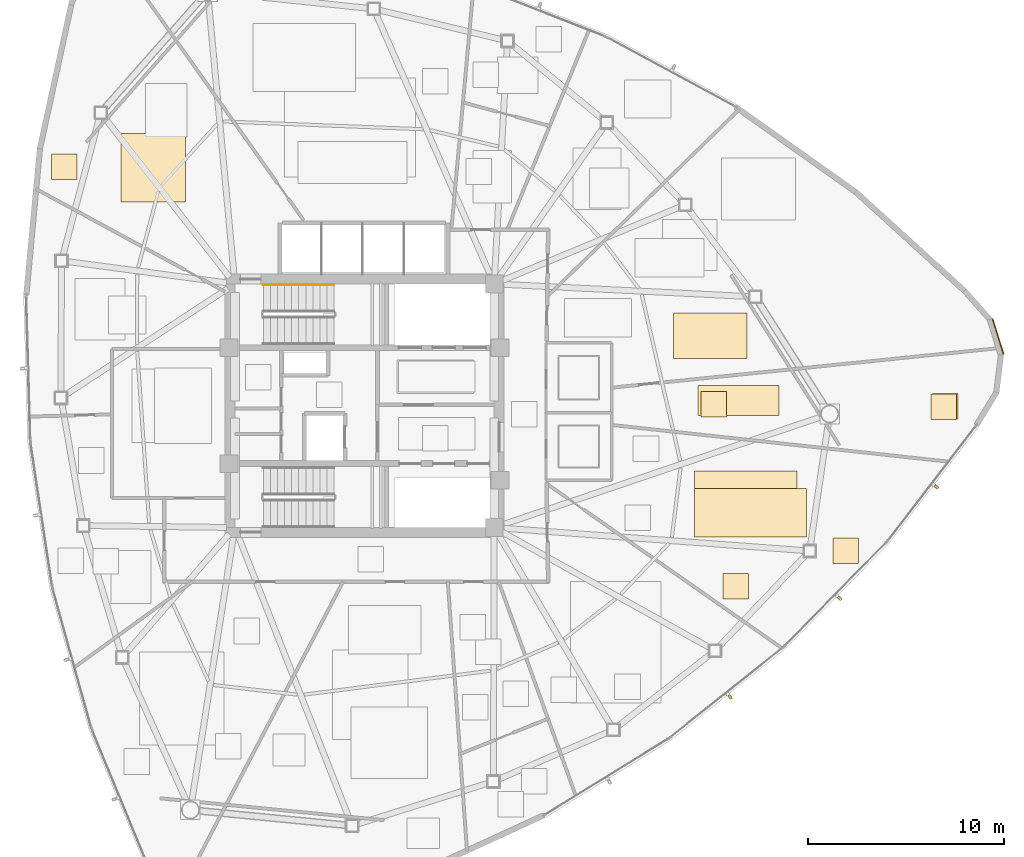
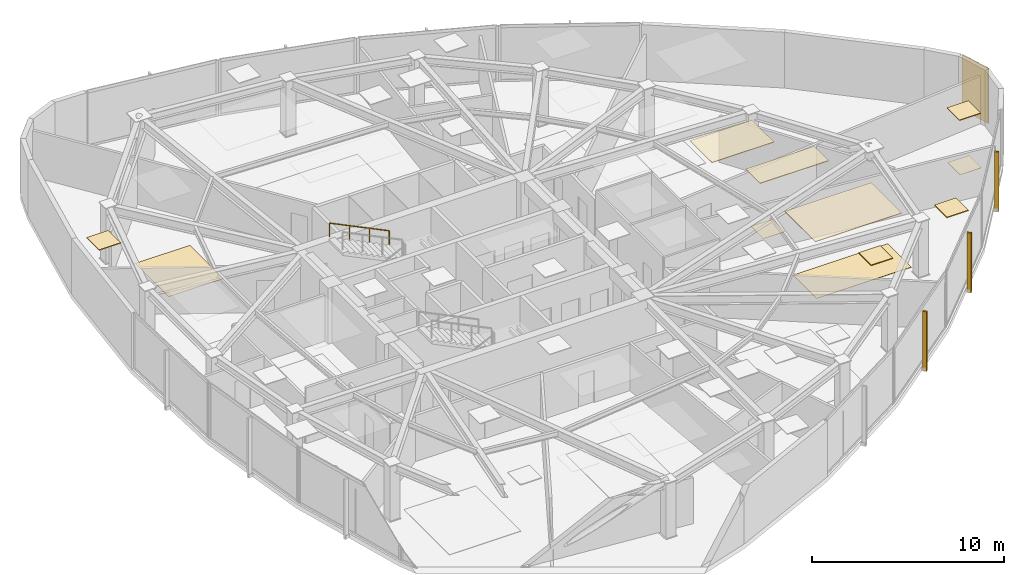
# One storey, part 17 of 18: 12 coverings, 3 shading devices, 1 railing.
"""IFC4 building model written with IfcOpenShell, lengths in metres."""

from ifc_helpers import new_model, si_unit, direction, frame, origin, origin_2d, place, context, subcontext, project, spatial, polyline, rectangle, outline, extrude, source, transform, mapped, material, layer, layer_set, type_object, type_shapes, element, save


model = new_model("IFC4")

# Units and contexts
model_context = context("Model", 3, precision=1e-05, world=origin(), true_north=direction((0.0, 1.0)))
body_context = subcontext(model_context, "Body", "Model", "MODEL_VIEW")
ifc_project = project(units=[si_unit("LENGTHUNIT", "METRE"), si_unit("AREAUNIT", "SQUARE_METRE"), si_unit("VOLUMEUNIT", "CUBIC_METRE"), si_unit("PLANEANGLEUNIT", "RADIAN"), si_unit("MASSUNIT", "GRAM", prefix="KILO")], contexts=[model_context])

# Site, building, storey
site_placement = place(None, origin())
site = spatial("IfcSite", under=ifc_project, at=site_placement, CompositionType="ELEMENT")
building_placement = place(site_placement, origin())
building = spatial("IfcBuilding", under=site, at=building_placement, Name="Tavelor Broadcast Tower", CompositionType="ELEMENT")
storey_placement = place(building_placement, frame((0.0, 0.0, 181.050048828125)))
storey = spatial("IfcBuildingStorey", under=building, at=storey_placement, Name="L43", CompositionType="ELEMENT", Elevation=181.050048828125)

# Covering
ifc_material_1 = material(Name="Copper-Bronze Anodized Aluminium", Category="aluminium")
ifc_layer_1 = layer(ifc_material_1, 0.050048828125)
ifc_layer_set_1 = layer_set([ifc_layer_1], Name="Copper-Bronze Anodized Aluminium")
covering_type_1 = type_object("IfcCoveringType", Name="Champagne-Bronze Corner Pier Metal Cladding 50 mm", PredefinedType="CLADDING", material=ifc_layer_set_1)
covering_1_placement = place(storey_placement, frame((82.249267578125, 48.5244140625, 0.02001953125), z_axis=(0.0, 0.0, 1.0), x_axis=(-0.296541574976, 0.955019944457, 0.0)))
element("IfcCovering", 1, at=covering_1_placement, inside=storey, type_object=covering_type_1, Name="L43 Champagne-Bronze Corner Cladding 23", PredefinedType="CLADDING", context=body_context, shape_type="SweptSolid", body=[
    extrude(rectangle(XDim=1.87158203125, YDim=0.050048828125, at=origin_2d()), origin(), (0.0, 0.0, 1.0), 3.510009765625),
])

# Railing
ifc_material_2 = material(Name="Steel S355", Category="steel")
railing_type = type_object("IfcRailingType", Name="Continuous Brushed Stainless Handrail 900 mm", PredefinedType="HANDRAIL", material=ifc_material_2)
railing_placement = place(storey_placement, frame((48.449951171875, 51.14990234375, 2.099853515625)))
element("IfcRailing", 2, at=railing_placement, inside=storey, type_object=railing_type, Name="L43 ST1 stair handrail 2", PredefinedType="HANDRAIL", context=body_context, shape_type="SweptSolid", body=[
    extrude(rectangle(XDim=0.048095703125, YDim=0.048095703125, at=origin_2d()), frame((0.0, 0.0, 0.8759765625), z_axis=(-0.899360859046, 0.0, 0.437207096483), x_axis=(0.0, -1.0, 0.0)), (0.0, 0.0, 1.0), 4.002685546875),
    extrude(rectangle(XDim=0.0419921875, YDim=0.0419921875, at=origin_2d()), origin(), (0.0, 0.0, 1.0), 0.851806640625),
    extrude(rectangle(XDim=0.0419921875, YDim=0.0419921875, at=origin_2d()), frame((-1.199951171875, 0.0, 0.583251953125)), (0.0, 0.0, 1.0), 0.851806640625),
    extrude(rectangle(XDim=0.0419921875, YDim=0.0419921875, at=origin_2d()), frame((-2.39990234375, 0.0, 1.166748046875)), (0.0, 0.0, 1.0), 0.851806640625),
    extrude(rectangle(XDim=0.0419921875, YDim=0.0419921875, at=origin_2d()), frame((-3.599853515625, 0.0, 1.75)), (0.0, 0.0, 1.0), 0.851806640625),
])

# Coverings
ifc_material_3 = material(Name="Acoustic Nylon Carpet Tile")
ifc_layer_2 = layer(ifc_material_3, 0.02001953125)
ifc_layer_set_2 = layer_set([ifc_layer_2], Name="Acoustic Nylon Carpet Tile")
covering_type_2 = type_object("IfcCoveringType", Name="Heavy-Duty Acoustic Broadcast Carpet Tile 20 mm", PredefinedType="FLOORING", material=ifc_layer_set_2)
covering_2_placement = place(storey_placement, origin())
element("IfcCovering", 3, at=covering_2_placement, inside=storey, type_object=covering_type_2, Name="L43 Broadcast Floor Finish 0646", PredefinedType="FLOORING", context=body_context, shape_type="SweptSolid", body=[
    extrude(outline(polyline([(37.599609375, 55.37158203125), (40.89306640625, 55.37158203125), (40.89306640625, 58.869384765625), (37.599609375, 58.869384765625), (37.599609375, 55.37158203125)])), origin(), (0.0, 0.0, 1.0), 0.02001953125),
])
covering_3_placement = place(storey_placement, origin())
element("IfcCovering", 4, at=covering_3_placement, inside=storey, type_object=covering_type_2, Name="L43 Broadcast Floor Finish 0651", PredefinedType="FLOORING", context=body_context, shape_type="SweptSolid", body=[
    extrude(outline(polyline([(67.115234375, 44.422607421875), (68.415283203125, 44.422607421875), (68.415283203125, 45.72265625), (67.115234375, 45.72265625), (67.115234375, 44.422607421875)])), origin(), (0.0, 0.0, 1.0), 0.02001953125),
])
covering_4_placement = place(storey_placement, origin())
element("IfcCovering", 5, at=covering_4_placement, inside=storey, type_object=covering_type_2, Name="L43 Broadcast Floor Finish 0652", PredefinedType="FLOORING", context=body_context, shape_type="SweptSolid", body=[
    extrude(outline(polyline([(78.902099609375, 44.324951171875), (80.2021484375, 44.324951171875), (80.2021484375, 45.625), (78.902099609375, 45.625), (78.902099609375, 44.324951171875)])), origin(), (0.0, 0.0, 1.0), 0.02001953125),
])
covering_5_placement = place(storey_placement, origin())
element("IfcCovering", 6, at=covering_5_placement, inside=storey, type_object=covering_type_2, Name="L43 Broadcast Floor Finish 0653", PredefinedType="FLOORING", context=body_context, shape_type="SweptSolid", body=[
    extrude(outline(polyline([(66.7998046875, 38.326904296875), (72.508544921875, 38.326904296875), (72.508544921875, 40.789306640625), (66.7998046875, 40.789306640625), (66.7998046875, 38.326904296875)])), origin(), (0.0, 0.0, 1.0), 0.02001953125),
])
ifc_material_4 = material(Name="Acoustic Mineral Fibre Tile")
ifc_layer_3 = layer(ifc_material_4, 0.0400390625)
ifc_layer_set_3 = layer_set([ifc_layer_3], Name="Acoustic Mineral Fibre Tile")
covering_type_3 = type_object("IfcCoveringType", Name="Suspended Acoustic Mineral-Fibre Office Ceiling 40 mm", PredefinedType="CEILING", material=ifc_layer_set_3)
covering_6_placement = place(storey_placement, frame((0.0, 0.0, 3.510009765625)))
element("IfcCovering", 7, at=covering_6_placement, inside=storey, type_object=covering_type_3, Name="L43 Suspended Acoustic Ceiling 1804", PredefinedType="CEILING", context=body_context, shape_type="SweptSolid", body=[
    extrude(outline(polyline([(34.062744140625, 56.5048828125), (35.36279296875, 56.5048828125), (35.36279296875, 57.8046875), (34.062744140625, 57.8046875), (34.062744140625, 56.5048828125)])), origin(), (0.0, 0.0, 1.0), 0.0400390625),
])
covering_7_placement = place(storey_placement, frame((0.0, 0.0, 3.510009765625)))
element("IfcCovering", 8, at=covering_7_placement, inside=storey, type_object=covering_type_3, Name="L43 Suspended Acoustic Ceiling 1817", PredefinedType="CEILING", context=body_context, shape_type="SweptSolid", body=[
    extrude(outline(polyline([(65.731201171875, 47.40771484375), (69.466796875, 47.40771484375), (69.466796875, 49.707763671875), (65.731201171875, 49.707763671875), (65.731201171875, 47.40771484375)])), origin(), (0.0, 0.0, 1.0), 0.0400390625),
])
covering_8_placement = place(storey_placement, frame((0.0, 0.0, 3.510009765625)))
element("IfcCovering", 9, at=covering_8_placement, inside=storey, type_object=covering_type_3, Name="L43 Suspended Acoustic Ceiling 1818", PredefinedType="CEILING", context=body_context, shape_type="SweptSolid", body=[
    extrude(outline(polyline([(66.962158203125, 44.512451171875), (71.08984375, 44.512451171875), (71.08984375, 46.019287109375), (66.962158203125, 46.019287109375), (66.962158203125, 44.512451171875)])), origin(), (0.0, 0.0, 1.0), 0.0400390625),
])
covering_9_placement = place(storey_placement, frame((0.0, 0.0, 3.510009765625)))
element("IfcCovering", 10, at=covering_9_placement, inside=storey, type_object=covering_type_3, Name="L43 Suspended Acoustic Ceiling 1819", PredefinedType="CEILING", context=body_context, shape_type="SweptSolid", body=[
    extrude(outline(polyline([(78.835205078125, 44.288818359375), (80.135009765625, 44.288818359375), (80.135009765625, 45.5888671875), (78.835205078125, 45.5888671875), (78.835205078125, 44.288818359375)])), origin(), (0.0, 0.0, 1.0), 0.0400390625),
])
covering_10_placement = place(storey_placement, frame((0.0, 0.0, 3.510009765625)))
element("IfcCovering", 11, at=covering_10_placement, inside=storey, type_object=covering_type_3, Name="L43 Suspended Acoustic Ceiling 1820", PredefinedType="CEILING", context=body_context, shape_type="SweptSolid", body=[
    extrude(outline(polyline([(73.853759765625, 36.95751953125), (75.15380859375, 36.95751953125), (75.15380859375, 38.25732421875), (73.853759765625, 38.25732421875), (73.853759765625, 36.95751953125)])), origin(), (0.0, 0.0, 1.0), 0.0400390625),
])
covering_11_placement = place(storey_placement, frame((0.0, 0.0, 3.510009765625)))
element("IfcCovering", 12, at=covering_11_placement, inside=storey, type_object=covering_type_3, Name="L43 Suspended Acoustic Ceiling 1821", PredefinedType="CEILING", context=body_context, shape_type="SweptSolid", body=[
    extrude(outline(polyline([(68.257080078125, 35.165771484375), (69.55712890625, 35.165771484375), (69.55712890625, 36.4658203125), (68.257080078125, 36.4658203125), (68.257080078125, 35.165771484375)])), origin(), (0.0, 0.0, 1.0), 0.0400390625),
])
covering_12_placement = place(storey_placement, frame((0.0, 0.0, 3.510009765625)))
element("IfcCovering", 13, at=covering_12_placement, inside=storey, type_object=covering_type_3, Name="L43 Suspended Acoustic Ceiling 1824", PredefinedType="CEILING", context=body_context, shape_type="SweptSolid", body=[
    extrude(outline(polyline([(66.80126953125, 38.476806640625), (72.0126953125, 38.476806640625), (72.0126953125, 41.673095703125), (66.80126953125, 41.673095703125), (66.80126953125, 38.476806640625)])), origin(), (0.0, 0.0, 1.0), 0.0400390625),
])

# Shading devices
ifc_material_5 = material(Name="Kiln-Fired Glazed Terracotta", Category="masonry")
shading_device_type = type_object("IfcShadingDeviceType", Name="Extruded Terracotta Baguette Sun-Screen 110x240", PredefinedType="JALOUSIE", material=ifc_material_5)
shared_shape = source(origin(), body_context, "Body", "SweptSolid", [
    extrude(rectangle(XDim=0.110107421875, YDim=0.239990234375, at=origin_2d()), origin(), (0.0, 0.0, 1.0), 3.7900390625),
])
type_shapes(shading_device_type, [shared_shape])
for number, where, z_axis, x_axis, name in (
    (14, (68.61181640625, 30.1708984375, -0.260009765625), (0.0, 0.0, 1.0), (0.781738199863, 0.623606756598, 0.0), "L43 Terracotta Baguette Fin 450"),
    (15, (74.188232421875, 35.201171875, -0.260009765625), (0.0, 0.0, 1.0), (0.700535711176, 0.713617346599, 0.0), "L43 Terracotta Baguette Fin 451"),
    (16, (79.115234375, 40.869140625, -0.260009765625), (0.0, 0.0, 1.0), (0.609038324474, 0.793140794136, 0.0), "L43 Terracotta Baguette Fin 452"),
):
    element("IfcShadingDevice", number, at=place(storey_placement, frame(where, z_axis=z_axis, x_axis=x_axis)), inside=storey, type_object=shading_device_type, Name=name, PredefinedType="JALOUSIE", context=body_context, shape_type="MappedRepresentation", body=[
        mapped(shared_shape, transform((0.0, 0.0, 0.0), scale=1.0)),
    ])

save(model, "model.ifc")
